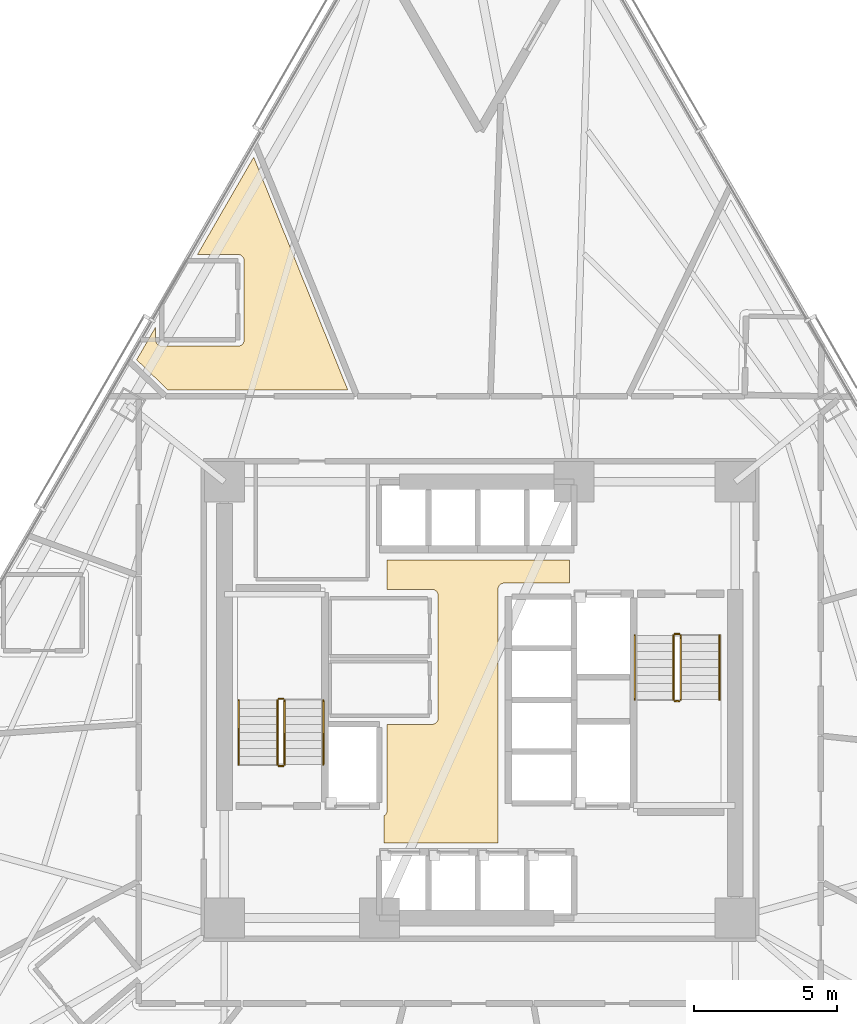
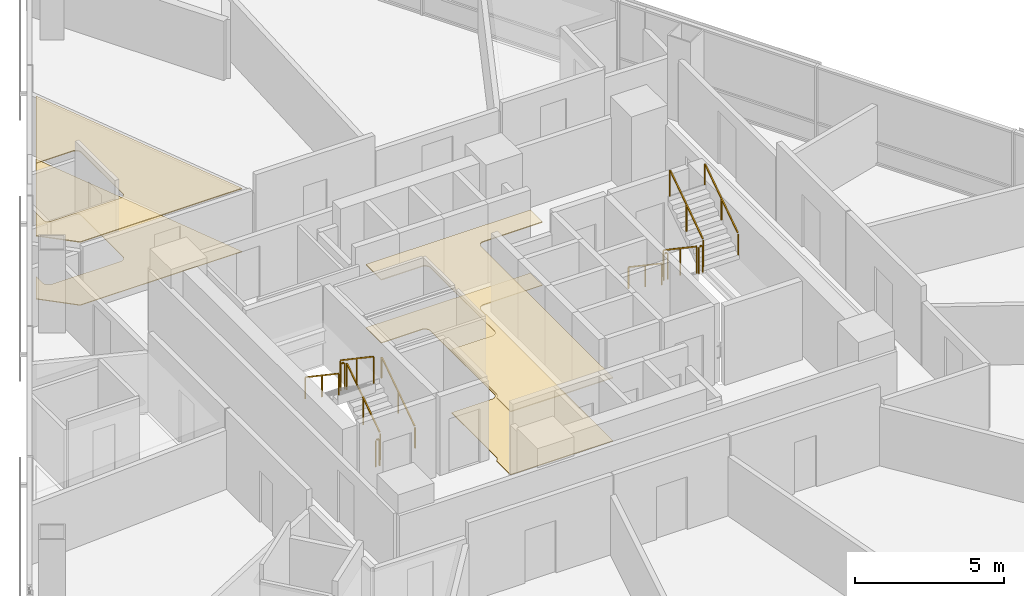
# One storey, part 15 of 16: 12 railings, 4 coverings.
"""IFC4 building model written with IfcOpenShell, lengths in metres."""

import ifcopenshell
import ifcopenshell.guid

model = None  # the IFC model being written
_history = None  # IfcOwnerHistory: only IFC2X3 demands one
_inside = {}  # id of a spatial element -> (the spatial element, [elements in it])
_under = {}  # id of a project, library or spatial element -> (it, [spatial elements below it])
_declared = {}  # id of a project -> (the project, [libraries it declares])
_typed = {}  # id of a type object -> (the type object, [elements of that type])
_made_of = {}  # id of a material, layer set ... -> (it, [elements and type objects made of it])


def new_model(schema):
    """Start an empty IFC model of exactly this schema.

    Asked for "IFC4X3", IfcOpenShell would pick the latest addendum, in which some entities
    have other attributes; the version numbers below select the first issue.
    IFC2X3 requires an IfcOwnerHistory on every rooted entity: one is made here for all.
    """
    global model, _history
    if schema == "IFC4X3":
        model = ifcopenshell.file(schema_version=(4, 3, 0, 0))
    else:
        model = ifcopenshell.file(schema=schema)
    _inside.clear()
    _under.clear()
    _declared.clear()
    _typed.clear()
    _made_of.clear()
    _history = None
    if model.schema == "IFC2X3":
        org = make("IfcOrganization", Name="unknown")
        user = make(
            "IfcPersonAndOrganization",
            ThePerson=make("IfcPerson", FamilyName="unknown"),
            TheOrganization=org,
        )
        app = make(
            "IfcApplication",
            ApplicationDeveloper=org,
            Version="unknown",
            ApplicationFullName="unknown",
            ApplicationIdentifier="unknown",
        )
        _history = make(
            "IfcOwnerHistory",
            OwningUser=user,
            OwningApplication=app,
            ChangeAction="ADDED",
            CreationDate=0,
        )
    return model


def make(cls, **values):
    """One entity of the class cls with the attributes given. An attribute that is None is left unset."""
    return model.create_entity(
        cls, **{name: value for name, value in values.items() if value is not None}
    )


def rooted(cls, **values):
    """An entity with a GlobalId (a new one), such as an element, a storey or a relation."""
    return make(cls, GlobalId=ifcopenshell.guid.new(), OwnerHistory=_history, **values)


def si_unit(unit_type, name, prefix=None):
    """IfcSIUnit, for example si_unit("LENGTHUNIT", "METRE", prefix="MILLI")."""
    return make("IfcSIUnit", UnitType=unit_type, Prefix=prefix, Name=name)


def assignment(units):
    """IfcUnitAssignment: the units of a project."""
    return None if units is None else make("IfcUnitAssignment", Units=units)


def point(xyz):
    """IfcCartesianPoint."""
    return None if xyz is None else make("IfcCartesianPoint", Coordinates=xyz)


def direction(xyz):
    """IfcDirection."""
    return None if xyz is None else make("IfcDirection", DirectionRatios=xyz)


def frame(location, z_axis=None, x_axis=None):
    """IfcAxis2Placement3D, a coordinate frame: its origin and axes. An axis left out is left unset."""
    return make(
        "IfcAxis2Placement3D",
        Location=point(location),
        Axis=direction(z_axis),
        RefDirection=direction(x_axis),
    )


def frame_2d(location, x_axis=None):
    """IfcAxis2Placement2D, a coordinate frame in the plane: its origin and x axis."""
    return make(
        "IfcAxis2Placement2D", Location=point(location), RefDirection=direction(x_axis)
    )


def origin():
    """The frame at (0, 0, 0) with its axes left unset."""
    return frame((0.0, 0.0, 0.0))


def origin_2d():
    """The frame at (0, 0) in the plane with its x axis left unset."""
    return frame_2d((0.0, 0.0))


def place(relative_to, where):
    """IfcLocalPlacement: puts the frame where relative to a parent placement (None: the world)."""
    return make(
        "IfcLocalPlacement", PlacementRelTo=relative_to, RelativePlacement=where
    )


def context(
    kind, dimensions, precision=None, world=None, true_north=None, identifier=None
):
    """IfcGeometricRepresentationContext, for example the 3D "Model" context."""
    return make(
        "IfcGeometricRepresentationContext",
        ContextIdentifier=identifier,
        ContextType=kind,
        CoordinateSpaceDimension=dimensions,
        Precision=precision,
        WorldCoordinateSystem=world,
        TrueNorth=true_north,
    )


def subcontext(parent, identifier, kind, view, scale=None):
    """IfcGeometricRepresentationSubContext, for example "Body" below "Model"."""
    return make(
        "IfcGeometricRepresentationSubContext",
        ContextIdentifier=identifier,
        ContextType=kind,
        ParentContext=parent,
        TargetScale=scale,
        TargetView=view,
    )


def project(units=None, contexts=None):
    """IfcProject with its units and contexts."""
    return rooted(
        "IfcProject",
        Name="project",
        RepresentationContexts=contexts,
        UnitsInContext=assignment(units),
    )


def spatial(cls, under=None, at=None, **own):
    """A site, building, storey or space (cls), placed at a placement, below another one or the project."""
    s = rooted(cls, ObjectPlacement=at, **own)
    if under is not None:
        _under.setdefault(under.id(), (under, []))[1].append(s)
    return s


def polyline(points):
    """IfcPolyline through the points."""
    return make("IfcPolyline", Points=[point(p) for p in points])


def profile(cls, at=None, kind="AREA", **sizes):
    """A parametric profile (cls). Its sizes go by their IFC names, for example OverallWidth=200.0."""
    return make(cls, ProfileType=kind, Position=at, **sizes)


def rectangle(**sizes):
    """IfcRectangleProfileDef."""
    return profile("IfcRectangleProfileDef", **sizes)


def outline(outer, holes=None, kind="AREA"):
    """IfcArbitraryClosedProfileDef: a profile drawn as a closed curve; with holes, ...WithVoids."""
    if holes is None:
        return make("IfcArbitraryClosedProfileDef", ProfileType=kind, OuterCurve=outer)
    return make(
        "IfcArbitraryProfileDefWithVoids",
        ProfileType=kind,
        OuterCurve=outer,
        InnerCurves=holes,
    )


def extrude(swept, where, along, depth):
    """IfcExtrudedAreaSolid: the profile swept, set in the frame where, extruded along a direction by depth."""
    return make(
        "IfcExtrudedAreaSolid",
        SweptArea=swept,
        Position=where,
        ExtrudedDirection=direction(along),
        Depth=depth,
    )


def shape(context_of_items, identifier, shape_type, items):
    """IfcShapeRepresentation: the items that make up one representation, for example the "Body"."""
    return make(
        "IfcShapeRepresentation",
        ContextOfItems=context_of_items,
        RepresentationIdentifier=identifier,
        RepresentationType=shape_type,
        Items=items,
    )


def material(Name=None, Category=None):
    """IfcMaterial."""
    return make("IfcMaterial", Name=Name, Category=Category)


def layer(
    of_material, thickness, ventilated=None, Name=None, Category=None, Priority=None
):
    """IfcMaterialLayer: one layer of a wall or slab, of a material (None: an air gap)."""
    return make(
        "IfcMaterialLayer",
        Material=of_material,
        LayerThickness=thickness,
        IsVentilated=ventilated,
        Name=Name,
        Category=Category,
        Priority=Priority,
    )


def layer_set(layers, Name=None):
    """IfcMaterialLayerSet."""
    return make("IfcMaterialLayerSet", MaterialLayers=layers, LayerSetName=Name)


def made_of(thing, what):
    """Note that an element or type object is made of a material, layer set ...; save() writes the relation."""
    if what is not None:
        _made_of.setdefault(what.id(), (what, []))[1].append(thing)
    return thing


def type_object(cls, material=None, **own):
    """A type object (cls), such as IfcWallType, which elements share."""
    return made_of(rooted(cls, **own), material)


def element(
    cls,
    number,
    at=None,
    inside=None,
    cuts=None,
    type_object=None,
    material=None,
    context=None,
    identifier="Body",
    shape_type=None,
    held_by="IfcProductDefinitionShape",
    body=None,
    shapes=None,
    **own,
):
    """One element of the class cls, such as IfcWall. Its Tag is "e" and its number.

    at: its placement. inside: the storey or other place that contains it. cuts: it is an
    opening in that element (IfcRelVoidsElement). A single representation is given by context,
    identifier, shape_type and body (its items); several are given by shapes. held_by: the class
    of the entity that holds the representations. save() writes the other relations.
    """
    e = rooted(cls, Tag="e%d" % number, ObjectPlacement=at, **own)
    if body is not None:
        shapes = [shape(context, identifier, shape_type, body)]
    if shapes is not None:
        e.Representation = make(held_by, Representations=shapes)
    if inside is not None:
        _inside.setdefault(inside.id(), (inside, []))[1].append(e)
    if cuts is not None:
        rooted(
            "IfcRelVoidsElement", RelatingBuildingElement=cuts, RelatedOpeningElement=e
        )
    if type_object is not None:
        _typed.setdefault(type_object.id(), (type_object, []))[1].append(e)
    return made_of(e, material)


def aggregate(whole, parts):
    """IfcRelAggregates: a whole, such as a stair, and the parts it consists of."""
    return rooted("IfcRelAggregates", RelatingObject=whole, RelatedObjects=parts)


def save(model, path):
    """Write the relations noted so far, then the file.

    IfcRelAggregates (storeys below a building ...), IfcRelContainedInSpatialStructure (elements
    in a storey), IfcRelDefinesByType, IfcRelAssociatesMaterial and IfcRelDeclares: one each for
    every whole, place, type object, material and project.
    """
    for whole, parts in _under.values():
        aggregate(whole, parts)
    for where, things in _inside.values():
        rooted(
            "IfcRelContainedInSpatialStructure",
            RelatedElements=things,
            RelatingStructure=where,
        )
    for kind, things in _typed.values():
        rooted("IfcRelDefinesByType", RelatedObjects=things, RelatingType=kind)
    for what, things in _made_of.values():
        rooted("IfcRelAssociatesMaterial", RelatedObjects=things, RelatingMaterial=what)
    for by, libraries in _declared.values():
        rooted("IfcRelDeclares", RelatingContext=by, RelatedDefinitions=libraries)
    model.write(path)


model = new_model("IFC4")

# Units and contexts
model_context = context("Model", 3, precision=1e-05, world=origin(), true_north=direction((0.0, 1.0)))
body_context = subcontext(model_context, "Body", "Model", "MODEL_VIEW")
ifc_project = project(units=[si_unit("LENGTHUNIT", "METRE"), si_unit("AREAUNIT", "SQUARE_METRE"), si_unit("VOLUMEUNIT", "CUBIC_METRE"), si_unit("PLANEANGLEUNIT", "RADIAN"), si_unit("MASSUNIT", "GRAM", prefix="KILO")], contexts=[model_context])

# Site, building, storey
site_placement = place(None, origin())
site = spatial("IfcSite", under=ifc_project, at=site_placement, CompositionType="ELEMENT")
building_placement = place(site_placement, origin())
building = spatial("IfcBuilding", under=site, at=building_placement, Name="Tharavind Bronze Gate", CompositionType="ELEMENT")
storey_placement = place(building_placement, frame((0.0, 0.0, 45.449951171875)))
storey = spatial("IfcBuildingStorey", under=building, at=storey_placement, Name="L10", CompositionType="ELEMENT", Elevation=45.449951171875)

# Coverings
ifc_material_1 = material(Name="Perforated Bronze Acoustic Panel", Category="bronze")
ifc_layer_1 = layer(ifc_material_1, 0.044921875)
ifc_layer_set_1 = layer_set([ifc_layer_1], Name="Perforated Bronze Acoustic Panel")
covering_type_1 = type_object("IfcCoveringType", Name="ACOUSTIC BRONZE BAFFLE CEILING", PredefinedType="CEILING", material=ifc_layer_set_1)
covering_1_placement = place(storey_placement, frame((0.0, 0.0, 2.574951171875)))
element("IfcCovering", 1, at=covering_1_placement, inside=storey, type_object=covering_type_1, Name="L10-C-LL suspended ceiling", PredefinedType="CEILING", context=body_context, shape_type="SweptSolid", body=[
    extrude(outline(polyline([(-3.330078125, -4.97998046875), (0.6298828125, -4.97998046875), (0.6298828125, 3.85009765625), (0.631103515625, 3.87158203125), (0.63427734375, 3.892822265625), (0.639404296875, 3.913818359375), (0.646728515625, 3.93408203125), (0.656005859375, 3.95361328125), (0.6669921875, 3.97216796875), (0.679931640625, 3.989501953125), (0.6943359375, 4.005615234375), (0.71044921875, 4.02001953125), (0.727783203125, 4.032958984375), (0.746337890625, 4.0439453125), (0.765869140625, 4.05322265625), (0.7861328125, 4.060546875), (0.80712890625, 4.06591796875), (0.828369140625, 4.06884765625), (0.85009765625, 4.070068359375), (3.1298828125, 4.070068359375), (3.1298828125, 4.8798828125), (-3.22998046875, 4.8798828125), (-3.22998046875, 3.85009765625), (-1.669921875, 3.85009765625), (-1.6484375, 3.848876953125), (-1.627197265625, 3.845703125), (-1.606201171875, 3.840576171875), (-1.585693359375, 3.833251953125), (-1.56640625, 3.823974609375), (-1.5478515625, 3.81298828125), (-1.530517578125, 3.800048828125), (-1.514404296875, 3.78564453125), (-1.5, 3.76953125), (-1.487060546875, 3.752197265625), (-1.47607421875, 3.733642578125), (-1.466796875, 3.714111328125), (-1.45947265625, 3.69384765625), (-1.4541015625, 3.6728515625), (-1.451171875, 3.651611328125), (-1.449951171875, 3.6298828125), (-1.449951171875, 1.43994140625), (-1.450439453125, 1.429931640625), (-1.449951171875, 1.419921875), (-1.449951171875, -0.6298828125), (-1.451171875, -0.651611328125), (-1.4541015625, -0.6728515625), (-1.45947265625, -0.69384765625), (-1.466796875, -0.714111328125), (-1.47607421875, -0.733642578125), (-1.487060546875, -0.752197265625), (-1.5, -0.76953125), (-1.514404296875, -0.78564453125), (-1.530517578125, -0.800048828125), (-1.5478515625, -0.81298828125), (-1.56640625, -0.823974609375), (-1.585693359375, -0.833251953125), (-1.606201171875, -0.840576171875), (-1.627197265625, -0.845703125), (-1.6484375, -0.848876953125), (-1.669921875, -0.85009765625), (-3.22998046875, -0.85009765625), (-3.22998046875, -3.85009765625), (-3.231201171875, -3.87158203125), (-3.234130859375, -3.892822265625), (-3.239501953125, -3.913818359375), (-3.24658203125, -3.93408203125), (-3.256103515625, -3.95361328125), (-3.26708984375, -3.97216796875), (-3.27978515625, -3.989501953125), (-3.29443359375, -4.005615234375), (-3.310302734375, -4.02001953125), (-3.327880859375, -4.032958984375), (-3.330078125, -4.0341796875), (-3.330078125, -4.97998046875)])), origin(), (0.0, 0.0, 1.0), 0.03515625),
])
ifc_material_2 = material(Name="Engineered Oak & Carpet Tile", Category="wood")
ifc_layer_2 = layer(ifc_material_2, 0.02490234375)
ifc_layer_set_2 = layer_set([ifc_layer_2], Name="Engineered Oak & Carpet Tile")
covering_type_2 = type_object("IfcCoveringType", Name="ENGINEERED TIMBER FLOORING", PredefinedType="FLOORING", material=ifc_layer_set_2)
covering_2_placement = place(storey_placement, origin())
element("IfcCovering", 2, at=covering_2_placement, inside=storey, type_object=covering_type_2, Name="L10-RM-05 floor finish", PredefinedType="FLOORING", context=body_context, shape_type="SweptSolid", body=[
    extrude(outline(polyline([(-10.866943359375, 10.800048828125), (-4.600830078125, 10.800048828125), (-7.87890625, 18.91357421875), (-9.838134765625, 15.52001953125), (-8.43017578125, 15.52001953125), (-8.40869140625, 15.518798828125), (-8.38720703125, 15.515869140625), (-8.3662109375, 15.510498046875), (-8.345947265625, 15.50341796875), (-8.326416015625, 15.493896484375), (-8.307861328125, 15.48291015625), (-8.29052734375, 15.47021484375), (-8.274658203125, 15.45556640625), (-8.260009765625, 15.439697265625), (-8.247314453125, 15.422119140625), (-8.236083984375, 15.40380859375), (-8.226806640625, 15.38427734375), (-8.219482421875, 15.364013671875), (-8.21435546875, 15.343017578125), (-8.211181640625, 15.321533203125), (-8.210205078125, 15.300048828125), (-8.210205078125, 12.550048828125), (-8.211181640625, 12.5283203125), (-8.21435546875, 12.507080078125), (-8.219482421875, 12.486083984375), (-8.226806640625, 12.4658203125), (-8.236083984375, 12.4462890625), (-8.247314453125, 12.427734375), (-8.260009765625, 12.410400390625), (-8.274658203125, 12.394287109375), (-8.29052734375, 12.3798828125), (-8.307861328125, 12.3671875), (-8.326416015625, 12.35595703125), (-8.345947265625, 12.3466796875), (-8.3662109375, 12.339599609375), (-8.38720703125, 12.334228515625), (-8.40869140625, 12.3310546875), (-8.43017578125, 12.330078125), (-11.080078125, 12.330078125), (-11.101806640625, 12.3310546875), (-11.123046875, 12.334228515625), (-11.14404296875, 12.339599609375), (-11.164306640625, 12.3466796875), (-11.183837890625, 12.35595703125), (-11.202392578125, 12.3671875), (-11.2197265625, 12.3798828125), (-11.235595703125, 12.394287109375), (-11.250244140625, 12.410400390625), (-11.26318359375, 12.427734375), (-11.274169921875, 12.4462890625), (-11.283447265625, 12.4658203125), (-11.290771484375, 12.486083984375), (-11.2958984375, 12.507080078125), (-11.299072265625, 12.5283203125), (-11.30029296875, 12.550048828125), (-11.30029296875, 12.987548828125), (-11.9560546875, 11.8515625), (-10.866943359375, 10.800048828125)])), origin(), (0.0, 0.0, 1.0), 0.025146484375),
])
ifc_material_3 = material(Name="Acoustic Gypsum Board", Category="gypsum")
ifc_layer_3 = layer(ifc_material_3, 0.030029296875)
ifc_layer_set_3 = layer_set([ifc_layer_3], Name="Acoustic Gypsum Board")
covering_type_3 = type_object("IfcCoveringType", Name="GYPSUM SUSPENDED CEILING", PredefinedType="CEILING", material=ifc_layer_set_3)
covering_3_placement = place(storey_placement, frame((0.0, 0.0, 2.574951171875)))
element("IfcCovering", 3, at=covering_3_placement, inside=storey, type_object=covering_type_3, Name="L10-RM-05 suspended ceiling", PredefinedType="CEILING", context=body_context, shape_type="SweptSolid", body=[
    extrude(outline(polyline([(-10.866943359375, 10.800048828125), (-4.600830078125, 10.800048828125), (-7.87890625, 18.91357421875), (-9.838134765625, 15.52001953125), (-8.43017578125, 15.52001953125), (-8.40869140625, 15.518798828125), (-8.38720703125, 15.515869140625), (-8.3662109375, 15.510498046875), (-8.345947265625, 15.50341796875), (-8.326416015625, 15.493896484375), (-8.307861328125, 15.48291015625), (-8.29052734375, 15.47021484375), (-8.274658203125, 15.45556640625), (-8.260009765625, 15.439697265625), (-8.247314453125, 15.422119140625), (-8.236083984375, 15.40380859375), (-8.226806640625, 15.38427734375), (-8.219482421875, 15.364013671875), (-8.21435546875, 15.343017578125), (-8.211181640625, 15.321533203125), (-8.210205078125, 15.300048828125), (-8.210205078125, 12.550048828125), (-8.211181640625, 12.5283203125), (-8.21435546875, 12.507080078125), (-8.219482421875, 12.486083984375), (-8.226806640625, 12.4658203125), (-8.236083984375, 12.4462890625), (-8.247314453125, 12.427734375), (-8.260009765625, 12.410400390625), (-8.274658203125, 12.394287109375), (-8.29052734375, 12.3798828125), (-8.307861328125, 12.3671875), (-8.326416015625, 12.35595703125), (-8.345947265625, 12.3466796875), (-8.3662109375, 12.339599609375), (-8.38720703125, 12.334228515625), (-8.40869140625, 12.3310546875), (-8.43017578125, 12.330078125), (-11.080078125, 12.330078125), (-11.101806640625, 12.3310546875), (-11.123046875, 12.334228515625), (-11.14404296875, 12.339599609375), (-11.164306640625, 12.3466796875), (-11.183837890625, 12.35595703125), (-11.202392578125, 12.3671875), (-11.2197265625, 12.3798828125), (-11.235595703125, 12.394287109375), (-11.250244140625, 12.410400390625), (-11.26318359375, 12.427734375), (-11.274169921875, 12.4462890625), (-11.283447265625, 12.4658203125), (-11.290771484375, 12.486083984375), (-11.2958984375, 12.507080078125), (-11.299072265625, 12.5283203125), (-11.30029296875, 12.550048828125), (-11.30029296875, 12.987548828125), (-11.9560546875, 11.8515625), (-10.866943359375, 10.800048828125)])), origin(), (0.0, 0.0, 1.0), 0.03515625),
])
ifc_material_4 = material(Name="Honed Travertine Limestone", Category="masonry")
ifc_layer_4 = layer(ifc_material_4, 0.030029296875)
ifc_layer_set_4 = layer_set([ifc_layer_4], Name="Honed Travertine Limestone")
covering_type_4 = type_object("IfcCoveringType", Name="HONED LIMESTONE FLOORING", PredefinedType="FLOORING", material=ifc_layer_set_4)
covering_4_placement = place(storey_placement, origin())
element("IfcCovering", 4, at=covering_4_placement, inside=storey, type_object=covering_type_4, Name="L10-C-LL floor finish", PredefinedType="FLOORING", context=body_context, shape_type="SweptSolid", body=[
    extrude(outline(polyline([(-3.330078125, -4.97998046875), (0.6298828125, -4.97998046875), (0.6298828125, 3.85009765625), (0.631103515625, 3.87158203125), (0.63427734375, 3.892822265625), (0.639404296875, 3.913818359375), (0.646728515625, 3.93408203125), (0.656005859375, 3.95361328125), (0.6669921875, 3.97216796875), (0.679931640625, 3.989501953125), (0.6943359375, 4.005615234375), (0.71044921875, 4.02001953125), (0.727783203125, 4.032958984375), (0.746337890625, 4.0439453125), (0.765869140625, 4.05322265625), (0.7861328125, 4.060546875), (0.80712890625, 4.06591796875), (0.828369140625, 4.06884765625), (0.85009765625, 4.070068359375), (3.1298828125, 4.070068359375), (3.1298828125, 4.8798828125), (-3.22998046875, 4.8798828125), (-3.22998046875, 3.85009765625), (-1.669921875, 3.85009765625), (-1.6484375, 3.848876953125), (-1.627197265625, 3.845703125), (-1.606201171875, 3.840576171875), (-1.585693359375, 3.833251953125), (-1.56640625, 3.823974609375), (-1.5478515625, 3.81298828125), (-1.530517578125, 3.800048828125), (-1.514404296875, 3.78564453125), (-1.5, 3.76953125), (-1.487060546875, 3.752197265625), (-1.47607421875, 3.733642578125), (-1.466796875, 3.714111328125), (-1.45947265625, 3.69384765625), (-1.4541015625, 3.6728515625), (-1.451171875, 3.651611328125), (-1.449951171875, 3.6298828125), (-1.449951171875, 1.43994140625), (-1.450439453125, 1.429931640625), (-1.449951171875, 1.419921875), (-1.449951171875, -0.6298828125), (-1.451171875, -0.651611328125), (-1.4541015625, -0.6728515625), (-1.45947265625, -0.69384765625), (-1.466796875, -0.714111328125), (-1.47607421875, -0.733642578125), (-1.487060546875, -0.752197265625), (-1.5, -0.76953125), (-1.514404296875, -0.78564453125), (-1.530517578125, -0.800048828125), (-1.5478515625, -0.81298828125), (-1.56640625, -0.823974609375), (-1.585693359375, -0.833251953125), (-1.606201171875, -0.840576171875), (-1.627197265625, -0.845703125), (-1.6484375, -0.848876953125), (-1.669921875, -0.85009765625), (-3.22998046875, -0.85009765625), (-3.22998046875, -3.85009765625), (-3.231201171875, -3.87158203125), (-3.234130859375, -3.892822265625), (-3.239501953125, -3.913818359375), (-3.24658203125, -3.93408203125), (-3.256103515625, -3.95361328125), (-3.26708984375, -3.97216796875), (-3.27978515625, -3.989501953125), (-3.29443359375, -4.005615234375), (-3.310302734375, -4.02001953125), (-3.327880859375, -4.032958984375), (-3.330078125, -4.0341796875), (-3.330078125, -4.97998046875)])), origin(), (0.0, 0.0, 1.0), 0.025146484375),
])

# Railings
ifc_material_5 = material(Name="Brushed Bronze Alloy", Category="metal")
railing_type_1 = type_object("IfcRailingType", Name="STAIR BRONZE HANDRAIL 900", PredefinedType="HANDRAIL", material=ifc_material_5)
railing_1_placement = place(storey_placement, frame((-5.449951171875, -2.25, 0.18896484375)))
element("IfcRailing", 5, at=railing_1_placement, inside=storey, type_object=railing_type_1, Name="L10 ST1 stair handrail 1", PredefinedType="HANDRAIL", context=body_context, shape_type="SweptSolid", body=[
    extrude(rectangle(XDim=0.048095703125, YDim=0.048095703125, at=origin_2d()), frame((0.0, 0.026611328125, 0.893798828125), z_axis=(0.0, 0.829021472004, 0.559216772778), x_axis=(-1.0, 0.0, 0.0)), (0.0, 0.0, 1.0), 2.637939453125),
    extrude(rectangle(XDim=0.0400390625, YDim=0.0400390625, at=origin_2d()), origin(), (0.0, 0.0, 1.0), 0.847900390625),
    extrude(rectangle(XDim=0.0400390625, YDim=0.0400390625, at=origin_2d()), frame((0.0, 1.1201171875, 0.75537109375)), (0.0, 0.0, 1.0), 0.847900390625),
    extrude(rectangle(XDim=0.0400390625, YDim=0.0400390625, at=origin_2d()), frame((0.0, 2.239990234375, 1.510986328125)), (0.0, 0.0, 1.0), 0.847900390625),
])
railing_2_placement = place(storey_placement, frame((-8.39990234375, -0.010009765625, 1.888916015625)))
element("IfcRailing", 6, at=railing_2_placement, inside=storey, type_object=railing_type_1, Name="L10 ST1 stair handrail 2", PredefinedType="HANDRAIL", context=body_context, shape_type="SweptSolid", body=[
    extrude(rectangle(XDim=0.048095703125, YDim=0.048095703125, at=origin_2d()), frame((0.0, -0.026611328125, 0.893798828125), z_axis=(0.0, -0.828979582247, 0.559278868023), x_axis=(1.0, 0.0, 0.0)), (0.0, 0.0, 1.0), 2.63818359375),
    extrude(rectangle(XDim=0.0400390625, YDim=0.0400390625, at=origin_2d()), origin(), (0.0, 0.0, 1.0), 0.847900390625),
    extrude(rectangle(XDim=0.0400390625, YDim=0.0400390625, at=origin_2d()), frame((0.0, -1.1201171875, 0.755615234375)), (0.0, 0.0, 1.0), 0.847900390625),
    extrude(rectangle(XDim=0.0400390625, YDim=0.0400390625, at=origin_2d()), frame((0.0, -2.239990234375, 1.51123046875)), (0.0, 0.0, 1.0), 0.847900390625),
])
railing_3_placement = place(storey_placement, frame((5.39990234375, 2.25, 0.18896484375)))
element("IfcRailing", 7, at=railing_3_placement, inside=storey, type_object=railing_type_1, Name="L10 ST2 stair handrail 1", PredefinedType="HANDRAIL", context=body_context, shape_type="SweptSolid", body=[
    extrude(rectangle(XDim=0.048095703125, YDim=0.048095703125, at=origin_2d()), frame((0.0, -0.026611328125, 0.893798828125), z_axis=(0.0, -0.829021472004, 0.559216772778), x_axis=(1.0, 0.0, 0.0)), (0.0, 0.0, 1.0), 2.637939453125),
    extrude(rectangle(XDim=0.0400390625, YDim=0.0400390625, at=origin_2d()), origin(), (0.0, 0.0, 1.0), 0.847900390625),
    extrude(rectangle(XDim=0.0400390625, YDim=0.0400390625, at=origin_2d()), frame((0.0, -1.1201171875, 0.75537109375)), (0.0, 0.0, 1.0), 0.847900390625),
    extrude(rectangle(XDim=0.0400390625, YDim=0.0400390625, at=origin_2d()), frame((0.0, -2.239990234375, 1.510986328125)), (0.0, 0.0, 1.0), 0.847900390625),
])
railing_4_placement = place(storey_placement, frame((8.35009765625, 0.010009765625, 1.888916015625)))
element("IfcRailing", 8, at=railing_4_placement, inside=storey, type_object=railing_type_1, Name="L10 ST2 stair handrail 2", PredefinedType="HANDRAIL", context=body_context, shape_type="SweptSolid", body=[
    extrude(rectangle(XDim=0.048095703125, YDim=0.048095703125, at=origin_2d()), frame((0.0, 0.026611328125, 0.893798828125), z_axis=(0.0, 0.828979582247, 0.559278868023), x_axis=(-1.0, 0.0, 0.0)), (0.0, 0.0, 1.0), 2.63818359375),
    extrude(rectangle(XDim=0.0400390625, YDim=0.0400390625, at=origin_2d()), origin(), (0.0, 0.0, 1.0), 0.847900390625),
    extrude(rectangle(XDim=0.0400390625, YDim=0.0400390625, at=origin_2d()), frame((0.0, 1.1201171875, 0.755615234375)), (0.0, 0.0, 1.0), 0.847900390625),
    extrude(rectangle(XDim=0.0400390625, YDim=0.0400390625, at=origin_2d()), frame((0.0, 2.239990234375, 1.51123046875)), (0.0, 0.0, 1.0), 0.847900390625),
])
railing_type_2 = type_object("IfcRailingType", Name="STAIR WELL GUARD RAILING 1120", PredefinedType="GUARDRAIL", material=ifc_material_5)
railing_5_placement = place(storey_placement, frame((-6.800048828125, -2.25, 0.18896484375)))
element("IfcRailing", 9, at=railing_5_placement, inside=storey, type_object=railing_type_2, Name="L10 ST1 stair guard 1", PredefinedType="GUARDRAIL", context=body_context, shape_type="SweptSolid", body=[
    extrude(rectangle(XDim=0.048095703125, YDim=0.048095703125, at=origin_2d()), frame((0.0, 0.026611328125, 1.114013671875), z_axis=(0.0, 0.829021472004, 0.559216772778), x_axis=(-1.0, 0.0, 0.0)), (0.0, 0.0, 1.0), 2.637939453125),
    extrude(rectangle(XDim=0.0400390625, YDim=0.0400390625, at=origin_2d()), origin(), (0.0, 0.0, 1.0), 1.068115234375),
    extrude(rectangle(XDim=0.0400390625, YDim=0.0400390625, at=origin_2d()), frame((0.0, 1.1201171875, 0.75537109375)), (0.0, 0.0, 1.0), 1.068115234375),
    extrude(rectangle(XDim=0.0400390625, YDim=0.0400390625, at=origin_2d()), frame((0.0, 2.239990234375, 1.510986328125)), (0.0, 0.0, 1.0), 1.068115234375),
])
railing_6_placement = place(storey_placement, frame((-6.85009765625, 0.0400390625, 1.699951171875)))
element("IfcRailing", 10, at=railing_6_placement, inside=storey, type_object=railing_type_2, Name="L10 ST1 stair guard 2", PredefinedType="GUARDRAIL", context=body_context, shape_type="SweptSolid", body=[
    extrude(rectangle(XDim=0.048095703125, YDim=0.048095703125, at=origin_2d()), frame((-0.031982421875, 0.0, 1.09619140625), z_axis=(-1.0, 0.0, 0.0), x_axis=(0.0, -1.0, 0.0)), (0.0, 0.0, 1.0), 0.0859375),
    extrude(rectangle(XDim=0.0400390625, YDim=0.0400390625, at=origin_2d()), origin(), (0.0, 0.0, 1.0), 1.068115234375),
    extrude(rectangle(XDim=0.0400390625, YDim=0.0400390625, at=origin_2d()), frame((-0.14990234375, 0.0, 0.0)), (0.0, 0.0, 1.0), 1.068115234375),
])
railing_7_placement = place(storey_placement, frame((-7.050048828125, -0.010009765625, 1.888916015625)))
element("IfcRailing", 11, at=railing_7_placement, inside=storey, type_object=railing_type_2, Name="L10 ST1 stair guard 3", PredefinedType="GUARDRAIL", context=body_context, shape_type="SweptSolid", body=[
    extrude(rectangle(XDim=0.048095703125, YDim=0.048095703125, at=origin_2d()), frame((0.0, -0.026611328125, 1.114013671875), z_axis=(0.0, -0.828979582247, 0.559278868023), x_axis=(1.0, 0.0, 0.0)), (0.0, 0.0, 1.0), 2.63818359375),
    extrude(rectangle(XDim=0.0400390625, YDim=0.0400390625, at=origin_2d()), origin(), (0.0, 0.0, 1.0), 1.068115234375),
    extrude(rectangle(XDim=0.0400390625, YDim=0.0400390625, at=origin_2d()), frame((0.0, -1.1201171875, 0.755615234375)), (0.0, 0.0, 1.0), 1.068115234375),
    extrude(rectangle(XDim=0.0400390625, YDim=0.0400390625, at=origin_2d()), frame((0.0, -2.239990234375, 1.51123046875)), (0.0, 0.0, 1.0), 1.068115234375),
])
railing_8_placement = place(storey_placement, frame((-6.85009765625, -2.300048828125, 0.0)))
element("IfcRailing", 12, at=railing_8_placement, inside=storey, type_object=railing_type_2, Name="L10 ST1 stair guard 4", PredefinedType="GUARDRAIL", context=body_context, shape_type="SweptSolid", body=[
    extrude(rectangle(XDim=0.048095703125, YDim=0.048095703125, at=origin_2d()), frame((-0.031982421875, 0.0, 1.09619140625), z_axis=(-1.0, 0.0, 0.0), x_axis=(0.0, -1.0, 0.0)), (0.0, 0.0, 1.0), 0.0859375),
    extrude(rectangle(XDim=0.0400390625, YDim=0.0400390625, at=origin_2d()), origin(), (0.0, 0.0, 1.0), 1.068115234375),
    extrude(rectangle(XDim=0.0400390625, YDim=0.0400390625, at=origin_2d()), frame((-0.14990234375, 0.0, 0.0)), (0.0, 0.0, 1.0), 1.068115234375),
])
railing_9_placement = place(storey_placement, frame((6.75, 2.25, 0.18896484375)))
element("IfcRailing", 13, at=railing_9_placement, inside=storey, type_object=railing_type_2, Name="L10 ST2 stair guard 1", PredefinedType="GUARDRAIL", context=body_context, shape_type="SweptSolid", body=[
    extrude(rectangle(XDim=0.048095703125, YDim=0.048095703125, at=origin_2d()), frame((0.0, -0.026611328125, 1.114013671875), z_axis=(0.0, -0.829021472004, 0.559216772778), x_axis=(1.0, 0.0, 0.0)), (0.0, 0.0, 1.0), 2.637939453125),
    extrude(rectangle(XDim=0.0400390625, YDim=0.0400390625, at=origin_2d()), origin(), (0.0, 0.0, 1.0), 1.068115234375),
    extrude(rectangle(XDim=0.0400390625, YDim=0.0400390625, at=origin_2d()), frame((0.0, -1.1201171875, 0.75537109375)), (0.0, 0.0, 1.0), 1.068115234375),
    extrude(rectangle(XDim=0.0400390625, YDim=0.0400390625, at=origin_2d()), frame((0.0, -2.239990234375, 1.510986328125)), (0.0, 0.0, 1.0), 1.068115234375),
])
railing_10_placement = place(storey_placement, frame((6.800048828125, -0.0400390625, 1.699951171875)))
element("IfcRailing", 14, at=railing_10_placement, inside=storey, type_object=railing_type_2, Name="L10 ST2 stair guard 2", PredefinedType="GUARDRAIL", context=body_context, shape_type="SweptSolid", body=[
    extrude(rectangle(XDim=0.048095703125, YDim=0.048095703125, at=origin_2d()), frame((0.031982421875, 0.0, 1.09619140625), z_axis=(1.0, 0.0, 0.0), x_axis=(0.0, 1.0, 0.0)), (0.0, 0.0, 1.0), 0.0859375),
    extrude(rectangle(XDim=0.0400390625, YDim=0.0400390625, at=origin_2d()), origin(), (0.0, 0.0, 1.0), 1.068115234375),
    extrude(rectangle(XDim=0.0400390625, YDim=0.0400390625, at=origin_2d()), frame((0.14990234375, 0.0, 0.0)), (0.0, 0.0, 1.0), 1.068115234375),
])
railing_11_placement = place(storey_placement, frame((7.0, 0.010009765625, 1.888916015625)))
element("IfcRailing", 15, at=railing_11_placement, inside=storey, type_object=railing_type_2, Name="L10 ST2 stair guard 3", PredefinedType="GUARDRAIL", context=body_context, shape_type="SweptSolid", body=[
    extrude(rectangle(XDim=0.048095703125, YDim=0.048095703125, at=origin_2d()), frame((0.0, 0.026611328125, 1.114013671875), z_axis=(0.0, 0.828979582247, 0.559278868023), x_axis=(-1.0, 0.0, 0.0)), (0.0, 0.0, 1.0), 2.63818359375),
    extrude(rectangle(XDim=0.0400390625, YDim=0.0400390625, at=origin_2d()), origin(), (0.0, 0.0, 1.0), 1.068115234375),
    extrude(rectangle(XDim=0.0400390625, YDim=0.0400390625, at=origin_2d()), frame((0.0, 1.1201171875, 0.755615234375)), (0.0, 0.0, 1.0), 1.068115234375),
    extrude(rectangle(XDim=0.0400390625, YDim=0.0400390625, at=origin_2d()), frame((0.0, 2.239990234375, 1.51123046875)), (0.0, 0.0, 1.0), 1.068115234375),
])
railing_12_placement = place(storey_placement, frame((6.800048828125, 2.300048828125, 0.0)))
element("IfcRailing", 16, at=railing_12_placement, inside=storey, type_object=railing_type_2, Name="L10 ST2 stair guard 4", PredefinedType="GUARDRAIL", context=body_context, shape_type="SweptSolid", body=[
    extrude(rectangle(XDim=0.048095703125, YDim=0.048095703125, at=origin_2d()), frame((0.031982421875, 0.0, 1.09619140625), z_axis=(1.0, 0.0, 0.0), x_axis=(0.0, 1.0, 0.0)), (0.0, 0.0, 1.0), 0.0859375),
    extrude(rectangle(XDim=0.0400390625, YDim=0.0400390625, at=origin_2d()), origin(), (0.0, 0.0, 1.0), 1.068115234375),
    extrude(rectangle(XDim=0.0400390625, YDim=0.0400390625, at=origin_2d()), frame((0.14990234375, 0.0, 0.0)), (0.0, 0.0, 1.0), 1.068115234375),
])

save(model, "model.ifc")
